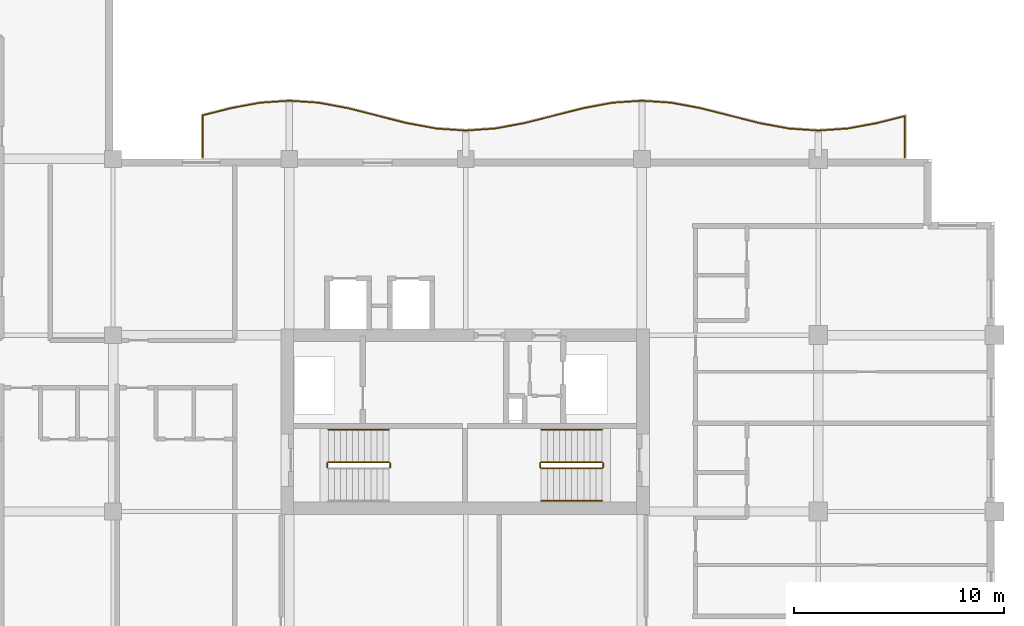
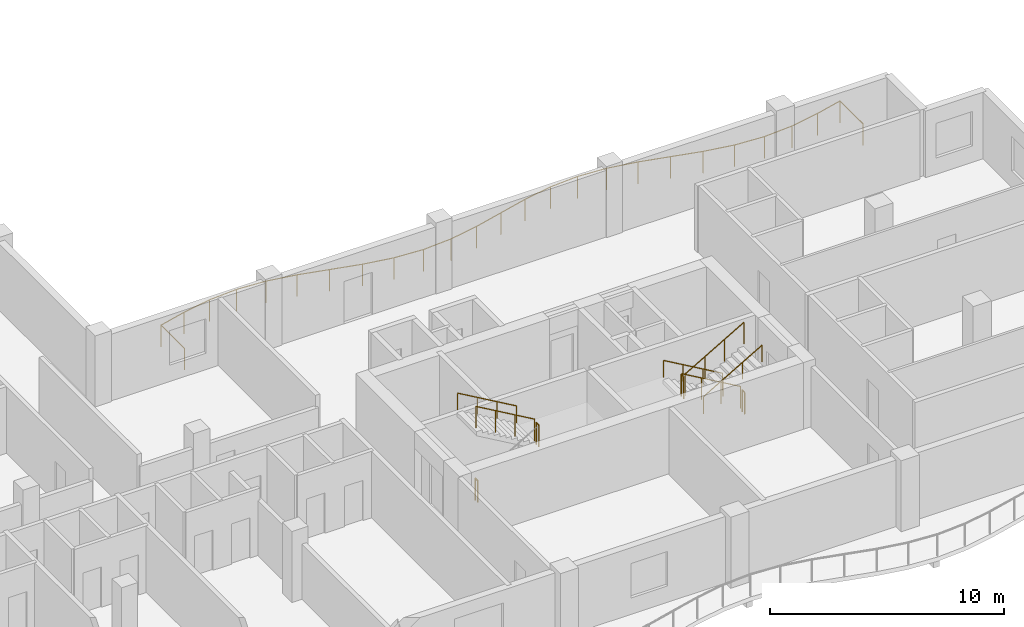
# One storey, part 14 of 15: 11 railings.
"""IFC4 building model written with IfcOpenShell, lengths in metres."""

from ifc_helpers import new_model, si_unit, direction, frame, origin, origin_2d, place, context, subcontext, project, spatial, circle, extrude, material, type_object, element, save


model = new_model("IFC4")

# Units and contexts
model_context = context("Model", 3, precision=1e-05, world=origin(), true_north=direction((0.0, 1.0)))
body_context = subcontext(model_context, "Body", "Model", "MODEL_VIEW")
ifc_project = project(units=[si_unit("LENGTHUNIT", "METRE"), si_unit("AREAUNIT", "SQUARE_METRE"), si_unit("VOLUMEUNIT", "CUBIC_METRE"), si_unit("PLANEANGLEUNIT", "RADIAN"), si_unit("MASSUNIT", "GRAM", prefix="KILO")], contexts=[model_context])

# Site, building, storey
site_placement = place(None, origin())
site = spatial("IfcSite", under=ifc_project, at=site_placement, CompositionType="ELEMENT")
building_placement = place(site_placement, origin())
building = spatial("IfcBuilding", under=site, at=building_placement, Name="Koriwani Terraces Tower", CompositionType="ELEMENT")
storey_placement = place(building_placement, frame((0.0, 0.0, 282.300048828125)))
storey = spatial("IfcBuildingStorey", under=building, at=storey_placement, Name="L70", CompositionType="ELEMENT", Elevation=282.300048828125)

# Railings
ifc_material = material(Name="Steel ASTM A572 Grade 50", Category="steel")
railing_type_1 = type_object("IfcRailingType", Name="GUARD_BALUSTRADE_1150", PredefinedType="BALUSTRADE", material=ifc_material)
railing_1_placement = place(storey_placement, frame((71.320068359375, 33.679931640625, 0.0)))
element("IfcRailing", 1, at=railing_1_placement, inside=storey, type_object=railing_type_1, Name="L70 Balcony Perimeter Safety Balustrade (NE)", PredefinedType="BALUSTRADE", context=body_context, shape_type="SweptSolid", body=[
    extrude(circle(Radius=0.02392578125, at=origin_2d()), frame((0.0, 0.0, 1.1259765625), z_axis=(0.0, 1.0, 0.0), x_axis=(-1.0, 0.0, 0.0)), (0.0, 0.0, 1.0), 1.957275390625),
    extrude(circle(Radius=0.02392578125, at=origin_2d()), frame((0.0, 1.957275390625, 1.1259765625), z_axis=(-0.969335916043, -0.245739459323, 0.0), x_axis=(0.245739459323, -0.969335916043, 0.0)), (0.0, 0.0, 1.0), 1.34423828125),
    extrude(circle(Radius=0.02392578125, at=origin_2d()), frame((-1.302978515625, 1.626953125, 1.1259765625), z_axis=(-0.983227655562, -0.182382502828, 0.0), x_axis=(0.182382502828, -0.983227655562, 0.0)), (0.0, 0.0, 1.0), 1.430908203125),
    extrude(circle(Radius=0.02392578125, at=origin_2d()), frame((-2.7099609375, 1.365966796875, 1.1259765625), z_axis=(-0.997704957786, -0.067711278299, 0.0), x_axis=(0.067711278299, -0.997704957786, 0.0)), (0.0, 0.0, 1.0), 1.413330078125),
    extrude(circle(Radius=0.02392578125, at=origin_2d()), frame((-4.1201171875, 1.270263671875, 1.1259765625), z_axis=(-0.997704165633, 0.067722949425, 0.0), x_axis=(-0.067722949425, -0.997704165633, 0.0)), (0.0, 0.0, 1.0), 1.4130859375),
    extrude(circle(Radius=0.02392578125, at=origin_2d()), frame((-5.530029296875, 1.365966796875, 1.1259765625), z_axis=(-0.983233329212, 0.182351913416, 0.0), x_axis=(-0.182351913416, -0.983233329212, 0.0)), (0.0, 0.0, 1.0), 1.43115234375),
    extrude(circle(Radius=0.02392578125, at=origin_2d()), frame((-6.937255859375, 1.626953125, 1.1259765625), z_axis=(-0.969326714928, 0.245775750895, 0.0), x_axis=(-0.245775750895, -0.969326714928, 0.0)), (0.0, 0.0, 1.0), 2.888671875),
    extrude(circle(Radius=0.02392578125, at=origin_2d()), frame((-9.7373046875, 2.3369140625, 1.1259765625), z_axis=(-0.98320420208, 0.182508895706, 0.0), x_axis=(-0.182508895706, -0.98320420208, 0.0)), (0.0, 0.0, 1.0), 1.41650390625),
    extrude(circle(Radius=0.02392578125, at=origin_2d()), frame((-11.130126953125, 2.595458984375, 1.1259765625), z_axis=(-0.997697457915, 0.067821696155, 0.0), x_axis=(-0.067821696155, -0.997697457915, 0.0)), (0.0, 0.0, 1.0), 1.39306640625),
    extrude(circle(Radius=0.02392578125, at=origin_2d()), frame((-12.52001953125, 2.68994140625, 1.1259765625), z_axis=(-0.997698263815, -0.067809839848, 0.0), x_axis=(0.067809839848, -0.997698263815, 0.0)), (0.0, 0.0, 1.0), 1.393310546875),
    extrude(circle(Radius=0.02392578125, at=origin_2d()), frame((-13.91015625, 2.595458984375, 1.1259765625), z_axis=(-0.98320420208, -0.182508895706, 0.0), x_axis=(0.182508895706, -0.98320420208, 0.0)), (0.0, 0.0, 1.0), 1.41650390625),
    extrude(circle(Radius=0.02392578125, at=origin_2d()), frame((-15.302978515625, 2.3369140625, 1.1259765625), z_axis=(-0.969326714928, -0.245775750895, 0.0), x_axis=(0.245775750895, -0.969326714928, 0.0)), (0.0, 0.0, 1.0), 2.888671875),
    extrude(circle(Radius=0.02392578125, at=origin_2d()), frame((-18.10302734375, 1.626953125, 1.1259765625), z_axis=(-0.983227655562, -0.182382502828, 0.0), x_axis=(0.182382502828, -0.983227655562, 0.0)), (0.0, 0.0, 1.0), 1.430908203125),
    extrude(circle(Radius=0.02392578125, at=origin_2d()), frame((-19.510009765625, 1.365966796875, 1.1259765625), z_axis=(-0.997704957786, -0.067711278299, 0.0), x_axis=(0.067711278299, -0.997704957786, 0.0)), (0.0, 0.0, 1.0), 1.413330078125),
    extrude(circle(Radius=0.02392578125, at=origin_2d()), frame((-20.920166015625, 1.270263671875, 1.1259765625), z_axis=(-0.997704165633, 0.067722949425, 0.0), x_axis=(-0.067722949425, -0.997704165633, 0.0)), (0.0, 0.0, 1.0), 1.4130859375),
    extrude(circle(Radius=0.02392578125, at=origin_2d()), frame((-22.330078125, 1.365966796875, 1.1259765625), z_axis=(-0.983227655562, 0.182382502828, 0.0), x_axis=(-0.182382502828, -0.983227655562, 0.0)), (0.0, 0.0, 1.0), 1.430908203125),
    extrude(circle(Radius=0.02392578125, at=origin_2d()), frame((-23.737060546875, 1.626953125, 1.1259765625), z_axis=(-0.969331819617, 0.245755617389, 0.0), x_axis=(-0.245755617389, -0.969331819617, 0.0)), (0.0, 0.0, 1.0), 2.888916015625),
    extrude(circle(Radius=0.02392578125, at=origin_2d()), frame((-26.537353515625, 2.3369140625, 1.1259765625), z_axis=(-0.98320420208, 0.182508895706, 0.0), x_axis=(-0.182508895706, -0.98320420208, 0.0)), (0.0, 0.0, 1.0), 1.41650390625),
    extrude(circle(Radius=0.02392578125, at=origin_2d()), frame((-27.93017578125, 2.595458984375, 1.1259765625), z_axis=(-0.997697457915, 0.067821696155, 0.0), x_axis=(-0.067821696155, -0.997697457915, 0.0)), (0.0, 0.0, 1.0), 1.39306640625),
    extrude(circle(Radius=0.02392578125, at=origin_2d()), frame((-29.320068359375, 2.68994140625, 1.1259765625), z_axis=(-0.997697457915, -0.067821696155, 0.0), x_axis=(0.067821696155, -0.997697457915, 0.0)), (0.0, 0.0, 1.0), 1.39306640625),
    extrude(circle(Radius=0.02392578125, at=origin_2d()), frame((-30.7099609375, 2.595458984375, 1.1259765625), z_axis=(-0.98320420208, -0.182508895706, 0.0), x_axis=(0.182508895706, -0.98320420208, 0.0)), (0.0, 0.0, 1.0), 1.41650390625),
    extrude(circle(Radius=0.02392578125, at=origin_2d()), frame((-32.102783203125, 2.3369140625, 1.1259765625), z_axis=(-0.969325182173, -0.245781795918, 0.0), x_axis=(0.245781795918, -0.969325182173, 0.0)), (0.0, 0.0, 1.0), 1.379638671875),
    extrude(circle(Radius=0.02392578125, at=origin_2d()), frame((-33.440185546875, 1.997802734375, 1.1259765625), z_axis=(0.0, -1.0, 0.0), x_axis=(1.0, 0.0, 0.0)), (0.0, 0.0, 1.0), 1.997802734375),
    extrude(circle(Radius=0.02099609375, at=origin_2d()), origin(), (0.0, 0.0, 1.0), 1.101806640625),
    extrude(circle(Radius=0.02099609375, at=origin_2d()), frame((0.0, 1.957275390625, 0.0)), (0.0, 0.0, 1.0), 1.101806640625),
    extrude(circle(Radius=0.02099609375, at=origin_2d()), frame((-1.302978515625, 1.626953125, 0.0)), (0.0, 0.0, 1.0), 1.101806640625),
    extrude(circle(Radius=0.02099609375, at=origin_2d()), frame((-2.7099609375, 1.365966796875, 0.0)), (0.0, 0.0, 1.0), 1.101806640625),
    extrude(circle(Radius=0.02099609375, at=origin_2d()), frame((-4.1201171875, 1.270263671875, 0.0)), (0.0, 0.0, 1.0), 1.101806640625),
    extrude(circle(Radius=0.02099609375, at=origin_2d()), frame((-5.530029296875, 1.365966796875, 0.0)), (0.0, 0.0, 1.0), 1.101806640625),
    extrude(circle(Radius=0.02099609375, at=origin_2d()), frame((-6.937255859375, 1.626953125, 0.0)), (0.0, 0.0, 1.0), 1.101806640625),
    extrude(circle(Radius=0.02099609375, at=origin_2d()), frame((-8.33740234375, 1.98193359375, 0.0)), (0.0, 0.0, 1.0), 1.101806640625),
    extrude(circle(Radius=0.02099609375, at=origin_2d()), frame((-9.7373046875, 2.3369140625, 0.0)), (0.0, 0.0, 1.0), 1.101806640625),
    extrude(circle(Radius=0.02099609375, at=origin_2d()), frame((-11.130126953125, 2.595458984375, 0.0)), (0.0, 0.0, 1.0), 1.101806640625),
    extrude(circle(Radius=0.02099609375, at=origin_2d()), frame((-12.52001953125, 2.68994140625, 0.0)), (0.0, 0.0, 1.0), 1.101806640625),
    extrude(circle(Radius=0.02099609375, at=origin_2d()), frame((-13.91015625, 2.595458984375, 0.0)), (0.0, 0.0, 1.0), 1.101806640625),
    extrude(circle(Radius=0.02099609375, at=origin_2d()), frame((-15.302978515625, 2.3369140625, 0.0)), (0.0, 0.0, 1.0), 1.101806640625),
    extrude(circle(Radius=0.02099609375, at=origin_2d()), frame((-16.703125, 1.98193359375, 0.0)), (0.0, 0.0, 1.0), 1.101806640625),
    extrude(circle(Radius=0.02099609375, at=origin_2d()), frame((-18.10302734375, 1.626953125, 0.0)), (0.0, 0.0, 1.0), 1.101806640625),
    extrude(circle(Radius=0.02099609375, at=origin_2d()), frame((-19.510009765625, 1.365966796875, 0.0)), (0.0, 0.0, 1.0), 1.101806640625),
    extrude(circle(Radius=0.02099609375, at=origin_2d()), frame((-20.920166015625, 1.270263671875, 0.0)), (0.0, 0.0, 1.0), 1.101806640625),
    extrude(circle(Radius=0.02099609375, at=origin_2d()), frame((-22.330078125, 1.365966796875, 0.0)), (0.0, 0.0, 1.0), 1.101806640625),
    extrude(circle(Radius=0.02099609375, at=origin_2d()), frame((-23.737060546875, 1.626953125, 0.0)), (0.0, 0.0, 1.0), 1.101806640625),
    extrude(circle(Radius=0.02099609375, at=origin_2d()), frame((-25.13720703125, 1.98193359375, 0.0)), (0.0, 0.0, 1.0), 1.101806640625),
    extrude(circle(Radius=0.02099609375, at=origin_2d()), frame((-26.537353515625, 2.3369140625, 0.0)), (0.0, 0.0, 1.0), 1.101806640625),
    extrude(circle(Radius=0.02099609375, at=origin_2d()), frame((-27.93017578125, 2.595458984375, 0.0)), (0.0, 0.0, 1.0), 1.101806640625),
    extrude(circle(Radius=0.02099609375, at=origin_2d()), frame((-29.320068359375, 2.68994140625, 0.0)), (0.0, 0.0, 1.0), 1.101806640625),
    extrude(circle(Radius=0.02099609375, at=origin_2d()), frame((-30.7099609375, 2.595458984375, 0.0)), (0.0, 0.0, 1.0), 1.101806640625),
    extrude(circle(Radius=0.02099609375, at=origin_2d()), frame((-32.102783203125, 2.3369140625, 0.0)), (0.0, 0.0, 1.0), 1.101806640625),
    extrude(circle(Radius=0.02099609375, at=origin_2d()), frame((-33.440185546875, 1.997802734375, 0.0)), (0.0, 0.0, 1.0), 1.101806640625),
    extrude(circle(Radius=0.02099609375, at=origin_2d()), frame((-33.440185546875, 0.0, 0.0)), (0.0, 0.0, 1.0), 1.101806640625),
])
railing_type_2 = type_object("IfcRailingType", Name="GUARD_STAIR_WELL_1120", PredefinedType="GUARDRAIL", material=ifc_material)
railing_2_placement = place(storey_placement, frame((46.800048828125, 18.89990234375, 1.849853515625)))
element("IfcRailing", 2, at=railing_2_placement, inside=storey, type_object=railing_type_2, Name="L70 ST-E1 stair guard 2", PredefinedType="GUARDRAIL", context=body_context, shape_type="SweptSolid", body=[
    extrude(circle(Radius=0.02392578125, at=origin_2d()), frame((0.0, 0.0, 1.1259765625), z_axis=(0.0, 1.0, 0.0), x_axis=(-1.0, 0.0, 0.0)), (0.0, 0.0, 1.0), 0.2001953125),
    extrude(circle(Radius=0.02099609375, at=origin_2d()), origin(), (0.0, 0.0, 1.0), 1.101806640625),
    extrude(circle(Radius=0.02099609375, at=origin_2d()), frame((0.0, 0.2001953125, 0.0)), (0.0, 0.0, 1.0), 1.101806640625),
])
railing_3_placement = place(storey_placement, frame((46.75, 19.14990234375, 2.01806640625)))
element("IfcRailing", 3, at=railing_3_placement, inside=storey, type_object=railing_type_2, Name="L70 ST-E1 stair guard 3", PredefinedType="GUARDRAIL", context=body_context, shape_type="SweptSolid", body=[
    extrude(circle(Radius=0.02392578125, at=origin_2d()), frame((0.0, 0.0, 1.1259765625), z_axis=(-0.865038774852, 0.0, 0.501705010941), x_axis=(0.0, -1.0, 0.0)), (0.0, 0.0, 1.0), 3.352294921875),
    extrude(circle(Radius=0.02099609375, at=origin_2d()), origin(), (0.0, 0.0, 1.0), 1.101806640625),
    extrude(circle(Radius=0.02099609375, at=origin_2d()), frame((-0.966552734375, 0.0, 0.560546875)), (0.0, 0.0, 1.0), 1.101806640625),
    extrude(circle(Radius=0.02099609375, at=origin_2d()), frame((-1.933349609375, 0.0, 1.121337890625)), (0.0, 0.0, 1.0), 1.101806640625),
    extrude(circle(Radius=0.02099609375, at=origin_2d()), frame((-2.89990234375, 0.0, 1.681884765625)), (0.0, 0.0, 1.0), 1.101806640625),
])
railing_4_placement = place(storey_placement, frame((43.800048828125, 18.89990234375, 0.0)))
element("IfcRailing", 4, at=railing_4_placement, inside=storey, type_object=railing_type_2, Name="L70 ST-E1 stair guard 4", PredefinedType="GUARDRAIL", context=body_context, shape_type="SweptSolid", body=[
    extrude(circle(Radius=0.02392578125, at=origin_2d()), frame((0.0, 0.0, 1.1259765625), z_axis=(0.0, 1.0, 0.0), x_axis=(-1.0, 0.0, 0.0)), (0.0, 0.0, 1.0), 0.2001953125),
    extrude(circle(Radius=0.02099609375, at=origin_2d()), origin(), (0.0, 0.0, 1.0), 1.101806640625),
    extrude(circle(Radius=0.02099609375, at=origin_2d()), frame((0.0, 0.2001953125, 0.0)), (0.0, 0.0, 1.0), 1.101806640625),
])
railing_5_placement = place(storey_placement, frame((56.89990234375, 19.14990234375, 0.168212890625)))
element("IfcRailing", 5, at=railing_5_placement, inside=storey, type_object=railing_type_2, Name="L70 ST-E2 stair guard 1", PredefinedType="GUARDRAIL", context=body_context, shape_type="SweptSolid", body=[
    extrude(circle(Radius=0.02392578125, at=origin_2d()), frame((0.0, 0.0, 1.1259765625), z_axis=(-0.86507038078, 0.0, 0.501650512107), x_axis=(0.0, -1.0, 0.0)), (0.0, 0.0, 1.0), 3.352294921875),
    extrude(circle(Radius=0.02099609375, at=origin_2d()), origin(), (0.0, 0.0, 1.0), 1.101806640625),
    extrude(circle(Radius=0.02099609375, at=origin_2d()), frame((-0.966552734375, 0.0, 0.560546875)), (0.0, 0.0, 1.0), 1.101806640625),
    extrude(circle(Radius=0.02099609375, at=origin_2d()), frame((-1.933349609375, 0.0, 1.12109375)), (0.0, 0.0, 1.0), 1.101806640625),
    extrude(circle(Radius=0.02099609375, at=origin_2d()), frame((-2.89990234375, 0.0, 1.681640625)), (0.0, 0.0, 1.0), 1.101806640625),
])
railing_6_placement = place(storey_placement, frame((53.949951171875, 19.10009765625, 1.849853515625)))
element("IfcRailing", 6, at=railing_6_placement, inside=storey, type_object=railing_type_2, Name="L70 ST-E2 stair guard 2", PredefinedType="GUARDRAIL", context=body_context, shape_type="SweptSolid", body=[
    extrude(circle(Radius=0.02392578125, at=origin_2d()), frame((0.0, 0.0, 1.1259765625), z_axis=(0.0, -1.0, 0.0), x_axis=(1.0, 0.0, 0.0)), (0.0, 0.0, 1.0), 0.2001953125),
    extrude(circle(Radius=0.02099609375, at=origin_2d()), origin(), (0.0, 0.0, 1.0), 1.101806640625),
    extrude(circle(Radius=0.02099609375, at=origin_2d()), frame((0.0, -0.2001953125, 0.0)), (0.0, 0.0, 1.0), 1.101806640625),
])
railing_7_placement = place(storey_placement, frame((54.0, 18.85009765625, 2.01806640625)))
element("IfcRailing", 7, at=railing_7_placement, inside=storey, type_object=railing_type_2, Name="L70 ST-E2 stair guard 3", PredefinedType="GUARDRAIL", context=body_context, shape_type="SweptSolid", body=[
    extrude(circle(Radius=0.02392578125, at=origin_2d()), frame((0.0, 0.0, 1.1259765625), z_axis=(0.865038774852, 0.0, 0.501705010941), x_axis=(0.0, 1.0, 0.0)), (0.0, 0.0, 1.0), 3.352294921875),
    extrude(circle(Radius=0.02099609375, at=origin_2d()), origin(), (0.0, 0.0, 1.0), 1.101806640625),
    extrude(circle(Radius=0.02099609375, at=origin_2d()), frame((0.966552734375, 0.0, 0.560546875)), (0.0, 0.0, 1.0), 1.101806640625),
    extrude(circle(Radius=0.02099609375, at=origin_2d()), frame((1.933349609375, 0.0, 1.121337890625)), (0.0, 0.0, 1.0), 1.101806640625),
    extrude(circle(Radius=0.02099609375, at=origin_2d()), frame((2.89990234375, 0.0, 1.681884765625)), (0.0, 0.0, 1.0), 1.101806640625),
])
railing_8_placement = place(storey_placement, frame((56.949951171875, 19.10009765625, 0.0)))
element("IfcRailing", 8, at=railing_8_placement, inside=storey, type_object=railing_type_2, Name="L70 ST-E2 stair guard 4", PredefinedType="GUARDRAIL", context=body_context, shape_type="SweptSolid", body=[
    extrude(circle(Radius=0.02392578125, at=origin_2d()), frame((0.0, 0.0, 1.1259765625), z_axis=(0.0, -1.0, 0.0), x_axis=(1.0, 0.0, 0.0)), (0.0, 0.0, 1.0), 0.2001953125),
    extrude(circle(Radius=0.02099609375, at=origin_2d()), origin(), (0.0, 0.0, 1.0), 1.101806640625),
    extrude(circle(Radius=0.02099609375, at=origin_2d()), frame((0.0, -0.2001953125, 0.0)), (0.0, 0.0, 1.0), 1.101806640625),
])
railing_type_3 = type_object("IfcRailingType", Name="HANDRAIL_STAIR_920", PredefinedType="HANDRAIL", material=ifc_material)
railing_9_placement = place(storey_placement, frame((46.75, 20.699951171875, 2.01806640625)))
element("IfcRailing", 9, at=railing_9_placement, inside=storey, type_object=railing_type_3, Name="L70 ST-E1 stair handrail 2", PredefinedType="HANDRAIL", context=body_context, shape_type="SweptSolid", body=[
    extrude(circle(Radius=0.02392578125, at=origin_2d()), frame((0.0, 0.0, 0.8759765625), z_axis=(-0.865038774852, 0.0, 0.501705010941), x_axis=(0.0, -1.0, 0.0)), (0.0, 0.0, 1.0), 3.352294921875),
    extrude(circle(Radius=0.02099609375, at=origin_2d()), origin(), (0.0, 0.0, 1.0), 0.851806640625),
    extrude(circle(Radius=0.02099609375, at=origin_2d()), frame((-0.966552734375, 0.0, 0.560546875)), (0.0, 0.0, 1.0), 0.851806640625),
    extrude(circle(Radius=0.02099609375, at=origin_2d()), frame((-1.933349609375, 0.0, 1.121337890625)), (0.0, 0.0, 1.0), 0.851806640625),
    extrude(circle(Radius=0.02099609375, at=origin_2d()), frame((-2.89990234375, 0.0, 1.681884765625)), (0.0, 0.0, 1.0), 0.851806640625),
])
railing_10_placement = place(storey_placement, frame((56.89990234375, 20.699951171875, 0.168212890625)))
element("IfcRailing", 10, at=railing_10_placement, inside=storey, type_object=railing_type_3, Name="L70 ST-E2 stair handrail 1", PredefinedType="HANDRAIL", context=body_context, shape_type="SweptSolid", body=[
    extrude(circle(Radius=0.02392578125, at=origin_2d()), frame((0.0, 0.0, 0.8759765625), z_axis=(-0.86507038078, 0.0, 0.501650512107), x_axis=(0.0, -1.0, 0.0)), (0.0, 0.0, 1.0), 3.352294921875),
    extrude(circle(Radius=0.02099609375, at=origin_2d()), origin(), (0.0, 0.0, 1.0), 0.851806640625),
    extrude(circle(Radius=0.02099609375, at=origin_2d()), frame((-0.966552734375, 0.0, 0.560546875)), (0.0, 0.0, 1.0), 0.851806640625),
    extrude(circle(Radius=0.02099609375, at=origin_2d()), frame((-1.933349609375, 0.0, 1.12109375)), (0.0, 0.0, 1.0), 0.851806640625),
    extrude(circle(Radius=0.02099609375, at=origin_2d()), frame((-2.89990234375, 0.0, 1.681640625)), (0.0, 0.0, 1.0), 0.851806640625),
])
railing_11_placement = place(storey_placement, frame((54.0, 17.300048828125, 2.01806640625)))
element("IfcRailing", 11, at=railing_11_placement, inside=storey, type_object=railing_type_3, Name="L70 ST-E2 stair handrail 2", PredefinedType="HANDRAIL", context=body_context, shape_type="SweptSolid", body=[
    extrude(circle(Radius=0.02392578125, at=origin_2d()), frame((0.0, 0.0, 0.8759765625), z_axis=(0.865038774852, 0.0, 0.501705010941), x_axis=(0.0, 1.0, 0.0)), (0.0, 0.0, 1.0), 3.352294921875),
    extrude(circle(Radius=0.02099609375, at=origin_2d()), origin(), (0.0, 0.0, 1.0), 0.851806640625),
    extrude(circle(Radius=0.02099609375, at=origin_2d()), frame((0.966552734375, 0.0, 0.560546875)), (0.0, 0.0, 1.0), 0.851806640625),
    extrude(circle(Radius=0.02099609375, at=origin_2d()), frame((1.933349609375, 0.0, 1.121337890625)), (0.0, 0.0, 1.0), 0.851806640625),
    extrude(circle(Radius=0.02099609375, at=origin_2d()), frame((2.89990234375, 0.0, 1.681884765625)), (0.0, 0.0, 1.0), 0.851806640625),
])

save(model, "model.ifc")
